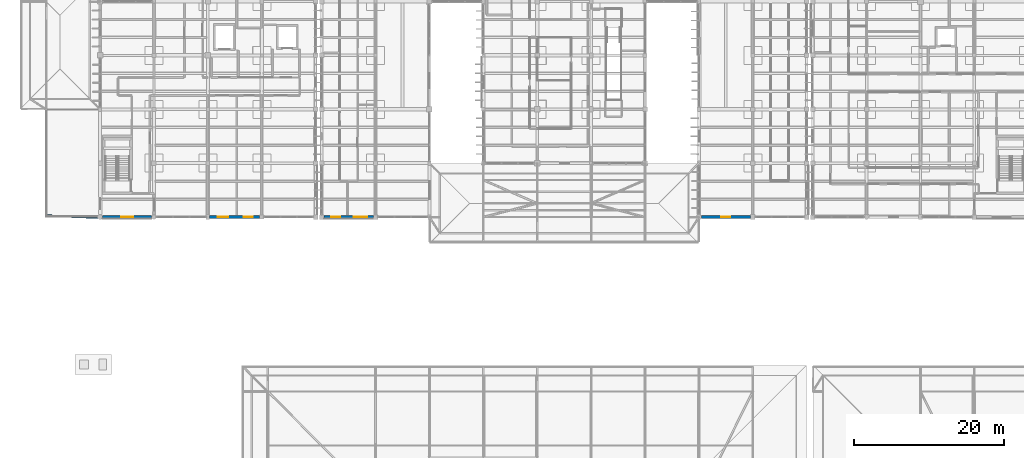
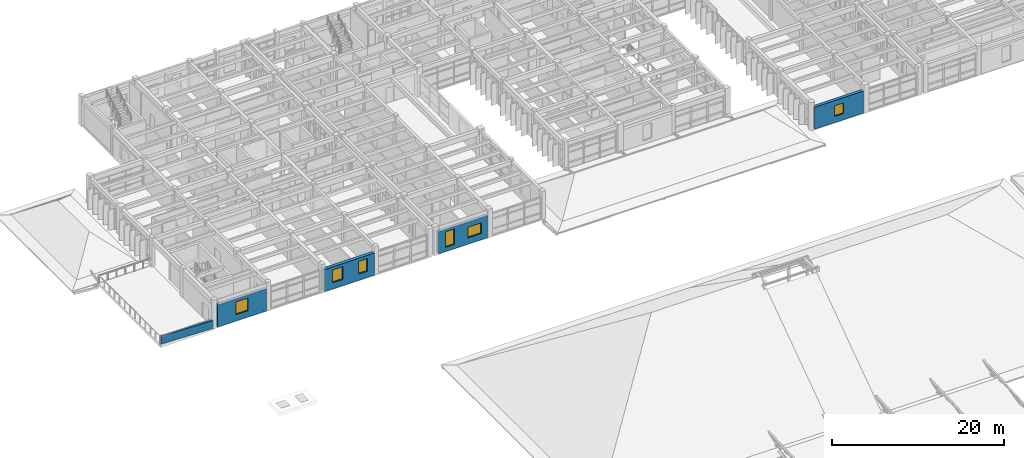
# One storey, part 70 of 100: 6 windows, 5 walls, 6 openings.
"""IFC4 building model written with IfcOpenShell, lengths in metres."""

from ifc_helpers import new_model, si_unit, direction, frame, frame_2d, origin, place, context, subcontext, project, spatial, rectangle, extrude, material, layer, layer_set, type_object, element, fill, save


model = new_model("IFC4")

# Units and contexts
model_context = context("Model", 3, precision=1e-05, world=origin(), true_north=direction((0.0, 1.0)))
body_context = subcontext(model_context, "Body", "Model", "MODEL_VIEW")
ifc_project = project(units=[si_unit("LENGTHUNIT", "METRE"), si_unit("AREAUNIT", "SQUARE_METRE"), si_unit("VOLUMEUNIT", "CUBIC_METRE"), si_unit("PLANEANGLEUNIT", "RADIAN"), si_unit("MASSUNIT", "GRAM", prefix="KILO")], contexts=[model_context])

# Site, building, storey
site_placement = place(None, origin())
site = spatial("IfcSite", under=ifc_project, at=site_placement, CompositionType="ELEMENT")
building_placement = place(site_placement, origin())
building = spatial("IfcBuilding", under=site, at=building_placement, Name="Steenspoor Specialist Clinic", CompositionType="ELEMENT")
storey_placement = place(building_placement, frame((0.0, 0.0, 9.0)))
storey = spatial("IfcBuildingStorey", under=building, at=storey_placement, Name="L02", CompositionType="ELEMENT", Elevation=9.0)

# Wall, opening, window
ifc_material_1 = material(Name="Extruded clay brick masonry", Category="masonry")
ifc_layer_1 = layer(ifc_material_1, 0.409912109375)
ifc_layer_set_1 = layer_set([ifc_layer_1], Name="Extruded clay brick masonry")
wall_type_1 = type_object("IfcWallType", Name="W-BRICK-410", PredefinedType="USERDEFINED", material=ifc_layer_set_1)
wall_1_placement = place(storey_placement, frame((109.675048828125, 65.14990234375, 0.0), z_axis=(0.0, 0.0, 1.0), x_axis=(-1.0, 0.0, 0.0)))
wall_1 = element("IfcWall", 1, at=wall_1_placement, inside=storey, type_object=wall_type_1, Name="Exterior Brick Wall EW-V4-L02-0151", ObjectType="CAVITY VENEER", PredefinedType="USERDEFINED", context=body_context, shape_type="SweptSolid", body=[
    extrude(rectangle(XDim=6.525146484375, YDim=0.409912109375, at=frame_2d((3.2626953125, 0.0))), origin(), (0.0, 0.0, 1.0), 3.1298828125),
])
opening_1_placement = place(wall_1_placement, frame((2.66259765625, 0.0, 0.89990234375)))
opening_1 = element("IfcOpeningElement", 2, at=opening_1_placement, cuts=wall_1, Name="Opening WN-11", PredefinedType="OPENING", context=body_context, shape_type="SweptSolid", body=[
    extrude(rectangle(XDim=1.199951171875, YDim=1.5, at=frame_2d((0.60009765625, 0.75))), frame((0.0, 0.21484375, 0.0), z_axis=(0.0, -1.0, 0.0), x_axis=(1.0, 0.0, 0.0)), (0.0, 0.0, 1.0), 0.429931640625),
])
ifc_material_2 = material(Name="Thermally broken aluminium and low-emissivity glass", Category="aluminium")
window_type_1 = type_object("IfcWindowType", Name="WN-EXT-120X150", PartitioningType="SINGLE_PANEL", PredefinedType="WINDOW", material=ifc_material_2)
window_1_placement = place(opening_1_placement, origin())
window_1 = element("IfcWindow", 3, at=window_1_placement, inside=storey, type_object=window_type_1, Name="Window 0177", OverallHeight=1.5, OverallWidth=1.199951171875, PartitioningType="SINGLE_PANEL", PredefinedType="WINDOW", context=body_context, shape_type="SweptSolid", body=[
    extrude(rectangle(XDim=1.199951171875, YDim=1.5, at=frame_2d((0.60009765625, 0.75))), frame((0.0, 0.030029296875, 0.0), z_axis=(0.0, -1.0, 0.0), x_axis=(1.0, 0.0, 0.0)), (0.0, 0.0, 1.0), 0.06005859375),
])
fill(opening_1, window_1)

# Wall, openings, windows
wall_2_placement = place(storey_placement, frame((59.300048828125, 65.14990234375, 0.0), z_axis=(0.0, 0.0, 1.0), x_axis=(-1.0, 0.0, 0.0)))
wall_2 = element("IfcWall", 4, at=wall_2_placement, inside=storey, type_object=wall_type_1, Name="Exterior Brick Wall EW-V4-L02-0159", ObjectType="CAVITY VENEER", PredefinedType="USERDEFINED", context=body_context, shape_type="SweptSolid", body=[
    extrude(rectangle(XDim=6.60009765625, YDim=0.409912109375, at=frame_2d((3.300048828125, 0.0))), origin(), (0.0, 0.0, 1.0), 3.1298828125),
])
opening_2_placement = place(wall_2_placement, frame((0.81494140625, 0.0, 0.89990234375)))
opening_2 = element("IfcOpeningElement", 5, at=opening_2_placement, cuts=wall_2, Name="Opening WN-13", PredefinedType="OPENING", context=body_context, shape_type="SweptSolid", body=[
    extrude(rectangle(XDim=1.800048828125, YDim=1.5, at=frame_2d((0.89990234375, 0.75))), frame((0.0, 0.21484375, 0.0), z_axis=(0.0, -1.0, 0.0), x_axis=(1.0, 0.0, 0.0)), (0.0, 0.0, 1.0), 0.429931640625),
])
opening_3_placement = place(wall_2_placement, frame((4.43505859375, 0.0, 0.60009765625)))
opening_3 = element("IfcOpeningElement", 6, at=opening_3_placement, cuts=wall_2, Name="Opening WN-15", PredefinedType="OPENING", context=body_context, shape_type="SweptSolid", body=[
    extrude(rectangle(XDim=1.199951171875, YDim=2.199951171875, at=frame_2d((0.60009765625, 1.10009765625))), frame((0.0, 0.21484375, 0.0), z_axis=(0.0, -1.0, 0.0), x_axis=(1.0, 0.0, 0.0)), (0.0, 0.0, 1.0), 0.429931640625),
])
window_type_2 = type_object("IfcWindowType", Name="WN-EXT-120X220", PartitioningType="SINGLE_PANEL", PredefinedType="WINDOW", material=ifc_material_2)
window_2_placement = place(opening_3_placement, origin())
window_2 = element("IfcWindow", 7, at=window_2_placement, inside=storey, type_object=window_type_2, Name="Window 0186", OverallHeight=2.199951171875, OverallWidth=1.199951171875, PartitioningType="SINGLE_PANEL", PredefinedType="WINDOW", context=body_context, shape_type="SweptSolid", body=[
    extrude(rectangle(XDim=1.199951171875, YDim=2.199951171875, at=frame_2d((0.60009765625, 1.10009765625))), frame((0.0, 0.030029296875, 0.0), z_axis=(0.0, -1.0, 0.0), x_axis=(1.0, 0.0, 0.0)), (0.0, 0.0, 1.0), 0.06005859375),
])
fill(opening_3, window_2)
window_type_3 = type_object("IfcWindowType", Name="WN-EXT-180X150", PartitioningType="SINGLE_PANEL", PredefinedType="WINDOW", material=ifc_material_2)
window_3_placement = place(opening_2_placement, origin())
window_3 = element("IfcWindow", 8, at=window_3_placement, inside=storey, type_object=window_type_3, Name="Window 0185", OverallHeight=1.5, OverallWidth=1.800048828125, PartitioningType="SINGLE_PANEL", PredefinedType="WINDOW", context=body_context, shape_type="SweptSolid", body=[
    extrude(rectangle(XDim=1.800048828125, YDim=1.5, at=frame_2d((0.89990234375, 0.75))), frame((0.0, 0.030029296875, 0.0), z_axis=(0.0, -1.0, 0.0), x_axis=(1.0, 0.0, 0.0)), (0.0, 0.0, 1.0), 0.06005859375),
])
fill(opening_2, window_3)

# Wall, opening, window
wall_3_placement = place(storey_placement, frame((29.699951171875, 65.14990234375, 0.0), z_axis=(0.0, 0.0, 1.0), x_axis=(-1.0, 0.0, 0.0)))
wall_3 = element("IfcWall", 9, at=wall_3_placement, inside=storey, type_object=wall_type_1, Name="Exterior Brick Wall EW-V5-L02-0267", ObjectType="CAVITY VENEER", PredefinedType="USERDEFINED", context=body_context, shape_type="SweptSolid", body=[
    extrude(rectangle(XDim=6.574951171875, YDim=0.409912109375, at=frame_2d((3.28759765625, 0.0))), origin(), (0.0, 0.0, 1.0), 3.1298828125),
])
opening_4_placement = place(wall_3_placement, frame((2.487548828125, 0.0, 0.89990234375)))
opening_4 = element("IfcOpeningElement", 10, at=opening_4_placement, cuts=wall_3, Name="Opening WN-07", PredefinedType="OPENING", context=body_context, shape_type="SweptSolid", body=[
    extrude(rectangle(XDim=1.60009765625, YDim=1.800048828125, at=frame_2d((0.800048828125, 0.89990234375))), frame((0.0, 0.21484375, 0.0), z_axis=(0.0, -1.0, 0.0), x_axis=(1.0, 0.0, 0.0)), (0.0, 0.0, 1.0), 0.429931640625),
])
window_type_4 = type_object("IfcWindowType", Name="WN-EXT-160X180", PartitioningType="SINGLE_PANEL", PredefinedType="WINDOW", material=ifc_material_2)
window_4_placement = place(opening_4_placement, origin())
window_4 = element("IfcWindow", 11, at=window_4_placement, inside=storey, type_object=window_type_4, Name="Window 0293", OverallHeight=1.800048828125, OverallWidth=1.60009765625, PartitioningType="SINGLE_PANEL", PredefinedType="WINDOW", context=body_context, shape_type="SweptSolid", body=[
    extrude(rectangle(XDim=1.60009765625, YDim=1.800048828125, at=frame_2d((0.800048828125, 0.89990234375))), frame((0.0, 0.030029296875, 0.0), z_axis=(0.0, -1.0, 0.0), x_axis=(1.0, 0.0, 0.0)), (0.0, 0.0, 1.0), 0.06005859375),
])
fill(opening_4, window_4)

# Wall, openings, windows
ifc_layer_2 = layer(ifc_material_1, 0.43994140625)
ifc_layer_set_2 = layer_set([ifc_layer_2], Name="Extruded clay brick masonry")
wall_type_2 = type_object("IfcWallType", Name="W-BRICK-440", PredefinedType="USERDEFINED", material=ifc_layer_set_2)
wall_4_placement = place(storey_placement, frame((44.125, 65.14990234375, 0.0), z_axis=(0.0, 0.0, 1.0), x_axis=(-1.0, 0.0, 0.0)))
wall_4 = element("IfcWall", 12, at=wall_4_placement, inside=storey, type_object=wall_type_2, Name="Exterior Brick Wall EW-V5-L02-0266", ObjectType="CAVITY VENEER", PredefinedType="USERDEFINED", context=body_context, shape_type="SweptSolid", body=[
    extrude(rectangle(XDim=6.699951171875, YDim=0.43994140625, at=frame_2d((3.35009765625, 0.0))), origin(), (0.0, 0.0, 1.0), 3.1298828125),
])
opening_5_placement = place(wall_4_placement, frame((0.927490234375, 0.0, 0.89990234375)))
opening_5 = element("IfcOpeningElement", 13, at=opening_5_placement, cuts=wall_4, Name="Opening WN-05", PredefinedType="OPENING", context=body_context, shape_type="SweptSolid", body=[
    extrude(rectangle(XDim=1.199951171875, YDim=1.800048828125, at=frame_2d((0.60009765625, 0.89990234375))), frame((0.0, 0.22998046875, 0.0), z_axis=(0.0, -1.0, 0.0), x_axis=(1.0, 0.0, 0.0)), (0.0, 0.0, 1.0), 0.4599609375),
])
opening_6_placement = place(wall_4_placement, frame((4.197509765625, 0.0, 0.89990234375)))
opening_6 = element("IfcOpeningElement", 14, at=opening_6_placement, cuts=wall_4, Name="Opening WN-06", PredefinedType="OPENING", context=body_context, shape_type="SweptSolid", body=[
    extrude(rectangle(XDim=1.39990234375, YDim=1.800048828125, at=frame_2d((0.699951171875, 0.89990234375))), frame((0.0, 0.22998046875, 0.0), z_axis=(0.0, -1.0, 0.0), x_axis=(1.0, 0.0, 0.0)), (0.0, 0.0, 1.0), 0.4599609375),
])
window_type_5 = type_object("IfcWindowType", Name="WN-EXT-120X180", PartitioningType="SINGLE_PANEL", PredefinedType="WINDOW", material=ifc_material_2)
window_5_placement = place(opening_5_placement, origin())
window_5 = element("IfcWindow", 15, at=window_5_placement, inside=storey, type_object=window_type_5, Name="Window 0291", OverallHeight=1.800048828125, OverallWidth=1.199951171875, PartitioningType="SINGLE_PANEL", PredefinedType="WINDOW", context=body_context, shape_type="SweptSolid", body=[
    extrude(rectangle(XDim=1.199951171875, YDim=1.800048828125, at=frame_2d((0.60009765625, 0.89990234375))), frame((0.0, 0.030029296875, 0.0), z_axis=(0.0, -1.0, 0.0), x_axis=(1.0, 0.0, 0.0)), (0.0, 0.0, 1.0), 0.06005859375),
])
fill(opening_5, window_5)
window_type_6 = type_object("IfcWindowType", Name="WN-EXT-140X180", PartitioningType="SINGLE_PANEL", PredefinedType="WINDOW", material=ifc_material_2)
window_6_placement = place(opening_6_placement, origin())
window_6 = element("IfcWindow", 16, at=window_6_placement, inside=storey, type_object=window_type_6, Name="Window 0292", OverallHeight=1.800048828125, OverallWidth=1.39990234375, PartitioningType="SINGLE_PANEL", PredefinedType="WINDOW", context=body_context, shape_type="SweptSolid", body=[
    extrude(rectangle(XDim=1.39990234375, YDim=1.800048828125, at=frame_2d((0.699951171875, 0.89990234375))), frame((0.0, 0.030029296875, 0.0), z_axis=(0.0, -1.0, 0.0), x_axis=(1.0, 0.0, 0.0)), (0.0, 0.0, 1.0), 0.06005859375),
])
fill(opening_6, window_6)

# Wall
ifc_layer_3 = layer(ifc_material_1, 0.239990234375)
ifc_layer_set_3 = layer_set([ifc_layer_3], Name="Extruded clay brick masonry")
wall_type_3 = type_object("IfcWallType", Name="W-PARAPET-240", PredefinedType="PARAPET", material=ifc_layer_set_3)
wall_5_placement = place(storey_placement, frame((15.780029296875, 65.330078125, 0.0), z_axis=(0.0, 0.0, 1.0), x_axis=(0.999385059583, -0.035064265038, 0.0)))
element("IfcWall", 17, at=wall_5_placement, inside=storey, type_object=wall_type_3, Name="Terrace Brick Parapet V5 L02 1", PredefinedType="PARAPET", context=body_context, shape_type="SweptSolid", body=[
    extrude(rectangle(XDim=6.84423828125, YDim=0.239990234375, at=frame_2d((3.422119140625, 0.0))), origin(), (0.0, 0.0, 1.0), 1.1201171875),
])

save(model, "model.ifc")
